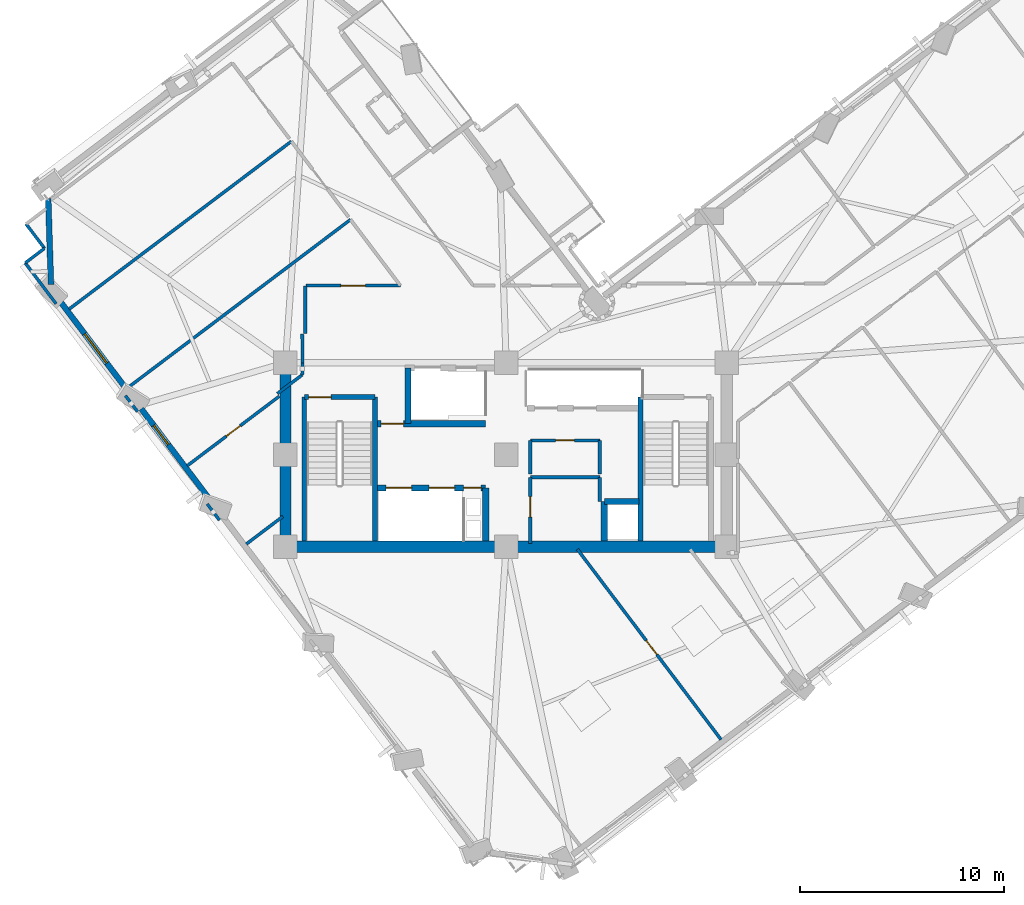
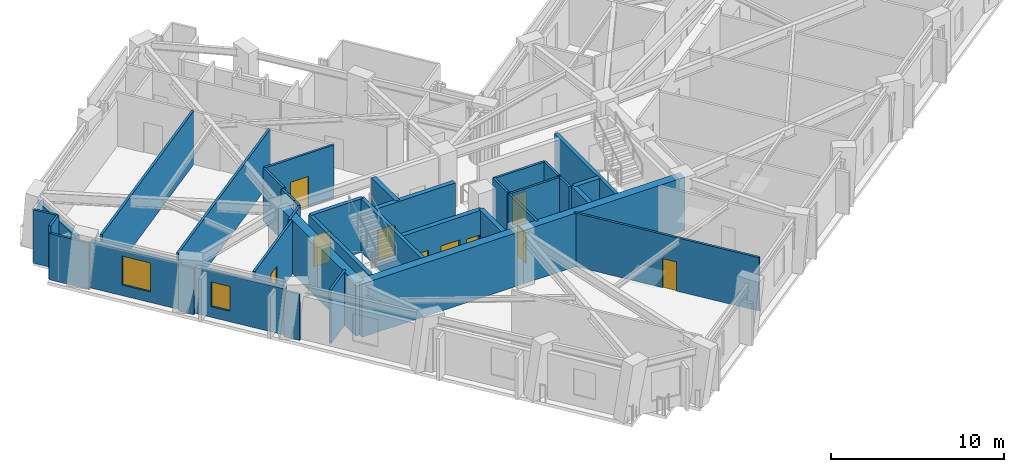
# One storey, part 6 of 15: 37 walls, 10 doors, 2 windows, 12 openings.
"""IFC4 building model written with IfcOpenShell, lengths in metres."""

import ifcopenshell
import ifcopenshell.guid

model = None  # the IFC model being written
_history = None  # IfcOwnerHistory: only IFC2X3 demands one
_inside = {}  # id of a spatial element -> (the spatial element, [elements in it])
_under = {}  # id of a project, library or spatial element -> (it, [spatial elements below it])
_declared = {}  # id of a project -> (the project, [libraries it declares])
_typed = {}  # id of a type object -> (the type object, [elements of that type])
_made_of = {}  # id of a material, layer set ... -> (it, [elements and type objects made of it])


def new_model(schema):
    """Start an empty IFC model of exactly this schema.

    Asked for "IFC4X3", IfcOpenShell would pick the latest addendum, in which some entities
    have other attributes; the version numbers below select the first issue.
    IFC2X3 requires an IfcOwnerHistory on every rooted entity: one is made here for all.
    """
    global model, _history
    if schema == "IFC4X3":
        model = ifcopenshell.file(schema_version=(4, 3, 0, 0))
    else:
        model = ifcopenshell.file(schema=schema)
    _inside.clear()
    _under.clear()
    _declared.clear()
    _typed.clear()
    _made_of.clear()
    _history = None
    if model.schema == "IFC2X3":
        org = make("IfcOrganization", Name="unknown")
        user = make(
            "IfcPersonAndOrganization",
            ThePerson=make("IfcPerson", FamilyName="unknown"),
            TheOrganization=org,
        )
        app = make(
            "IfcApplication",
            ApplicationDeveloper=org,
            Version="unknown",
            ApplicationFullName="unknown",
            ApplicationIdentifier="unknown",
        )
        _history = make(
            "IfcOwnerHistory",
            OwningUser=user,
            OwningApplication=app,
            ChangeAction="ADDED",
            CreationDate=0,
        )
    return model


def make(cls, **values):
    """One entity of the class cls with the attributes given. An attribute that is None is left unset."""
    return model.create_entity(
        cls, **{name: value for name, value in values.items() if value is not None}
    )


def rooted(cls, **values):
    """An entity with a GlobalId (a new one), such as an element, a storey or a relation."""
    return make(cls, GlobalId=ifcopenshell.guid.new(), OwnerHistory=_history, **values)


def si_unit(unit_type, name, prefix=None):
    """IfcSIUnit, for example si_unit("LENGTHUNIT", "METRE", prefix="MILLI")."""
    return make("IfcSIUnit", UnitType=unit_type, Prefix=prefix, Name=name)


def assignment(units):
    """IfcUnitAssignment: the units of a project."""
    return None if units is None else make("IfcUnitAssignment", Units=units)


def point(xyz):
    """IfcCartesianPoint."""
    return None if xyz is None else make("IfcCartesianPoint", Coordinates=xyz)


def direction(xyz):
    """IfcDirection."""
    return None if xyz is None else make("IfcDirection", DirectionRatios=xyz)


def frame(location, z_axis=None, x_axis=None):
    """IfcAxis2Placement3D, a coordinate frame: its origin and axes. An axis left out is left unset."""
    return make(
        "IfcAxis2Placement3D",
        Location=point(location),
        Axis=direction(z_axis),
        RefDirection=direction(x_axis),
    )


def frame_2d(location, x_axis=None):
    """IfcAxis2Placement2D, a coordinate frame in the plane: its origin and x axis."""
    return make(
        "IfcAxis2Placement2D", Location=point(location), RefDirection=direction(x_axis)
    )


def origin():
    """The frame at (0, 0, 0) with its axes left unset."""
    return frame((0.0, 0.0, 0.0))


def place(relative_to, where):
    """IfcLocalPlacement: puts the frame where relative to a parent placement (None: the world)."""
    return make(
        "IfcLocalPlacement", PlacementRelTo=relative_to, RelativePlacement=where
    )


def context(
    kind, dimensions, precision=None, world=None, true_north=None, identifier=None
):
    """IfcGeometricRepresentationContext, for example the 3D "Model" context."""
    return make(
        "IfcGeometricRepresentationContext",
        ContextIdentifier=identifier,
        ContextType=kind,
        CoordinateSpaceDimension=dimensions,
        Precision=precision,
        WorldCoordinateSystem=world,
        TrueNorth=true_north,
    )


def subcontext(parent, identifier, kind, view, scale=None):
    """IfcGeometricRepresentationSubContext, for example "Body" below "Model"."""
    return make(
        "IfcGeometricRepresentationSubContext",
        ContextIdentifier=identifier,
        ContextType=kind,
        ParentContext=parent,
        TargetScale=scale,
        TargetView=view,
    )


def project(units=None, contexts=None):
    """IfcProject with its units and contexts."""
    return rooted(
        "IfcProject",
        Name="project",
        RepresentationContexts=contexts,
        UnitsInContext=assignment(units),
    )


def spatial(cls, under=None, at=None, **own):
    """A site, building, storey or space (cls), placed at a placement, below another one or the project."""
    s = rooted(cls, ObjectPlacement=at, **own)
    if under is not None:
        _under.setdefault(under.id(), (under, []))[1].append(s)
    return s


def profile(cls, at=None, kind="AREA", **sizes):
    """A parametric profile (cls). Its sizes go by their IFC names, for example OverallWidth=200.0."""
    return make(cls, ProfileType=kind, Position=at, **sizes)


def rectangle(**sizes):
    """IfcRectangleProfileDef."""
    return profile("IfcRectangleProfileDef", **sizes)


def extrude(swept, where, along, depth):
    """IfcExtrudedAreaSolid: the profile swept, set in the frame where, extruded along a direction by depth."""
    return make(
        "IfcExtrudedAreaSolid",
        SweptArea=swept,
        Position=where,
        ExtrudedDirection=direction(along),
        Depth=depth,
    )


def shape(context_of_items, identifier, shape_type, items):
    """IfcShapeRepresentation: the items that make up one representation, for example the "Body"."""
    return make(
        "IfcShapeRepresentation",
        ContextOfItems=context_of_items,
        RepresentationIdentifier=identifier,
        RepresentationType=shape_type,
        Items=items,
    )


def material(Name=None, Category=None):
    """IfcMaterial."""
    return make("IfcMaterial", Name=Name, Category=Category)


def layer(
    of_material, thickness, ventilated=None, Name=None, Category=None, Priority=None
):
    """IfcMaterialLayer: one layer of a wall or slab, of a material (None: an air gap)."""
    return make(
        "IfcMaterialLayer",
        Material=of_material,
        LayerThickness=thickness,
        IsVentilated=ventilated,
        Name=Name,
        Category=Category,
        Priority=Priority,
    )


def layer_set(layers, Name=None):
    """IfcMaterialLayerSet."""
    return make("IfcMaterialLayerSet", MaterialLayers=layers, LayerSetName=Name)


def made_of(thing, what):
    """Note that an element or type object is made of a material, layer set ...; save() writes the relation."""
    if what is not None:
        _made_of.setdefault(what.id(), (what, []))[1].append(thing)
    return thing


def type_object(cls, material=None, **own):
    """A type object (cls), such as IfcWallType, which elements share."""
    return made_of(rooted(cls, **own), material)


def element(
    cls,
    number,
    at=None,
    inside=None,
    cuts=None,
    type_object=None,
    material=None,
    context=None,
    identifier="Body",
    shape_type=None,
    held_by="IfcProductDefinitionShape",
    body=None,
    shapes=None,
    **own,
):
    """One element of the class cls, such as IfcWall. Its Tag is "e" and its number.

    at: its placement. inside: the storey or other place that contains it. cuts: it is an
    opening in that element (IfcRelVoidsElement). A single representation is given by context,
    identifier, shape_type and body (its items); several are given by shapes. held_by: the class
    of the entity that holds the representations. save() writes the other relations.
    """
    e = rooted(cls, Tag="e%d" % number, ObjectPlacement=at, **own)
    if body is not None:
        shapes = [shape(context, identifier, shape_type, body)]
    if shapes is not None:
        e.Representation = make(held_by, Representations=shapes)
    if inside is not None:
        _inside.setdefault(inside.id(), (inside, []))[1].append(e)
    if cuts is not None:
        rooted(
            "IfcRelVoidsElement", RelatingBuildingElement=cuts, RelatedOpeningElement=e
        )
    if type_object is not None:
        _typed.setdefault(type_object.id(), (type_object, []))[1].append(e)
    return made_of(e, material)


def fill(opening, filler):
    """IfcRelFillsElement: the door or window that sits in an opening."""
    return rooted(
        "IfcRelFillsElement",
        RelatingOpeningElement=opening,
        RelatedBuildingElement=filler,
    )


def aggregate(whole, parts):
    """IfcRelAggregates: a whole, such as a stair, and the parts it consists of."""
    return rooted("IfcRelAggregates", RelatingObject=whole, RelatedObjects=parts)


def save(model, path):
    """Write the relations noted so far, then the file.

    IfcRelAggregates (storeys below a building ...), IfcRelContainedInSpatialStructure (elements
    in a storey), IfcRelDefinesByType, IfcRelAssociatesMaterial and IfcRelDeclares: one each for
    every whole, place, type object, material and project.
    """
    for whole, parts in _under.values():
        aggregate(whole, parts)
    for where, things in _inside.values():
        rooted(
            "IfcRelContainedInSpatialStructure",
            RelatedElements=things,
            RelatingStructure=where,
        )
    for kind, things in _typed.values():
        rooted("IfcRelDefinesByType", RelatedObjects=things, RelatingType=kind)
    for what, things in _made_of.values():
        rooted("IfcRelAssociatesMaterial", RelatedObjects=things, RelatingMaterial=what)
    for by, libraries in _declared.values():
        rooted("IfcRelDeclares", RelatingContext=by, RelatedDefinitions=libraries)
    model.write(path)


model = new_model("IFC4")

# Units and contexts
model_context = context("Model", 3, precision=1e-05, world=origin(), true_north=direction((0.0, 1.0)))
body_context = subcontext(model_context, "Body", "Model", "MODEL_VIEW")
ifc_project = project(units=[si_unit("LENGTHUNIT", "METRE"), si_unit("AREAUNIT", "SQUARE_METRE"), si_unit("VOLUMEUNIT", "CUBIC_METRE"), si_unit("PLANEANGLEUNIT", "RADIAN"), si_unit("MASSUNIT", "GRAM", prefix="KILO")], contexts=[model_context])

# Site, building, storey
site_placement = place(None, origin())
site = spatial("IfcSite", under=ifc_project, at=site_placement, CompositionType="ELEMENT")
building_placement = place(site_placement, origin())
building = spatial("IfcBuilding", under=site, at=building_placement, Name="Gaonmaruhae Medical Tower", CompositionType="ELEMENT")
storey_placement = place(building_placement, frame((0.0, 0.0, 181.800048828125)))
storey = spatial("IfcBuildingStorey", under=building, at=storey_placement, Name="L43", CompositionType="ELEMENT", Elevation=181.800048828125)

# Walls
ifc_material_1 = material(Name="Concrete C50/60", Category="concrete")
ifc_layer_1 = layer(ifc_material_1, 0.550048828125)
ifc_layer_set_1 = layer_set([ifc_layer_1], Name="Concrete C50/60")
wall_type_1 = type_object("IfcWallType", Name="CW-550 Mid-High Core Shear Wall", PredefinedType="SHEAR", material=ifc_layer_set_1)
for number, where, z_axis, x_axis, name in (
    (1, (14.0, 7.800048828125, 0.0), (0.0, 0.0, 1.0), (1.0, 0.0, 0.0), "L43 Core Shear Wall CSW-S1"),
    (2, (24.800048828125, 7.800048828125, 0.0), (0.0, 0.0, 1.0), (1.0, 0.0, 0.0), "L43 Core Shear Wall CSW-S2"),
):
    element("IfcWall", number, at=place(storey_placement, frame(where, z_axis=z_axis, x_axis=x_axis)), inside=storey, type_object=wall_type_1, Name=name, PredefinedType="SHEAR", context=body_context, shape_type="SweptSolid", body=[
        extrude(rectangle(XDim=10.800048828125, YDim=0.550048828125, at=frame_2d((5.39990234375, 0.0))), origin(), (0.0, 0.0, 1.0), 3.780029296875),
    ])
wall_1_placement = place(storey_placement, frame((14.0, 16.800048828125, 0.0), z_axis=(0.0, 0.0, 1.0), x_axis=(0.0, -1.0, 0.0)))
element("IfcWall", 3, at=wall_1_placement, inside=storey, type_object=wall_type_1, Name="L43 Core Shear Wall CSW-W1", PredefinedType="SHEAR", context=body_context, shape_type="SweptSolid", body=[
    extrude(rectangle(XDim=9.0, YDim=0.550048828125, at=frame_2d((4.5, 0.0))), origin(), (0.0, 0.0, 1.0), 3.780029296875),
])
ifc_material_2 = material(Name="Precast concrete C45/55", Category="concrete")
ifc_layer_2 = layer(ifc_material_2, 0.280029296875)
ifc_layer_set_2 = layer_set([ifc_layer_2], Name="Precast concrete C45/55")
wall_type_2 = type_object("IfcWallType", Name="EW-280 Upper Precast Masonry-Frame Facade Wall", PredefinedType="SOLIDWALL", material=ifc_layer_set_2)
wall_2_placement = place(storey_placement, frame((2.526123046875, 20.629150390625, 0.0), z_axis=(0.0, 0.0, 1.0), x_axis=(-0.031949799886, 0.999489474826, 0.0)))
element("IfcWall", 4, at=wall_2_placement, inside=storey, type_object=wall_type_2, Name="L43 Precast Masonry-Frame Wall N03-W01", PredefinedType="SOLIDWALL", context=body_context, shape_type="SweptSolid", body=[
    extrude(rectangle(XDim=4.21044921875, YDim=0.280029296875, at=frame_2d((2.105224609375, 0.0))), origin(), (0.0, 0.0, 1.0), 3.264892578125),
])

# Wall, opening, window
wall_3_placement = place(storey_placement, frame((6.351806640625, 15.3349609375, 0.0), z_axis=(0.0, 0.0, 1.0), x_axis=(-0.602530491205, 0.798095863395, 0.0)))
wall_3 = element("IfcWall", 5, at=wall_3_placement, inside=storey, type_object=wall_type_2, Name="L43 Precast Masonry-Frame Wall W01-W02", PredefinedType="SOLIDWALL", context=body_context, shape_type="SweptSolid", body=[
    extrude(rectangle(XDim=5.627685546875, YDim=0.280029296875, at=frame_2d((2.81396484375, 0.0))), origin(), (0.0, 0.0, 1.0), 3.264892578125),
])
opening_1_placement = place(wall_3_placement, frame((1.81689453125, 0.0, 0.75)))
opening_1 = element("IfcOpeningElement", 6, at=opening_1_placement, cuts=wall_3, Name="Opening WN-04", PredefinedType="OPENING", context=body_context, shape_type="SweptSolid", body=[
    extrude(rectangle(XDim=1.800048828125, YDim=2.050048828125, at=frame_2d((0.89990234375, 1.02490234375))), frame((0.0, 0.14990234375, 0.0), z_axis=(0.0, -1.0, 0.0), x_axis=(1.0, 0.0, 0.0)), (0.0, 0.0, 1.0), 0.300048828125),
])
ifc_material_3 = material(Name="Anodised aluminium and Low-E double glazing", Category="aluminium")
window_type_1 = type_object("IfcWindowType", Name="WN-04 Clinic & Consult Punched Window 1800x2050", PartitioningType="SINGLE_PANEL", PredefinedType="WINDOW", material=ifc_material_3)
window_1_placement = place(opening_1_placement, origin())
window_1 = element("IfcWindow", 7, at=window_1_placement, inside=storey, type_object=window_type_1, Name="L43 Modular Facade Window W01", OverallHeight=2.050048828125, OverallWidth=1.800048828125, PartitioningType="SINGLE_PANEL", PredefinedType="WINDOW", context=body_context, shape_type="SweptSolid", body=[
    extrude(rectangle(XDim=1.800048828125, YDim=2.050048828125, at=frame_2d((0.89990234375, 1.02490234375))), frame((0.0, 0.030029296875, 0.0), z_axis=(0.0, -1.0, 0.0), x_axis=(1.0, 0.0, 0.0)), (0.0, 0.0, 1.0), 0.06005859375),
])
fill(opening_1, window_1)

wall_4_placement = place(storey_placement, frame((10.355224609375, 10.031494140625, 0.0), z_axis=(0.0, 0.0, 1.0), x_axis=(-0.602494498612, 0.79812303509, 0.0)))
wall_4 = element("IfcWall", 8, at=wall_4_placement, inside=storey, type_object=wall_type_2, Name="L43 Precast Masonry-Frame Wall W02-W03", PredefinedType="SOLIDWALL", context=body_context, shape_type="SweptSolid", body=[
    extrude(rectangle(XDim=5.662109375, YDim=0.280029296875, at=frame_2d((2.8310546875, 0.0))), origin(), (0.0, 0.0, 1.0), 3.264892578125),
])
opening_2_placement = place(wall_4_placement, frame((3.455810546875, 0.0, 0.75)))
opening_2 = element("IfcOpeningElement", 9, at=opening_2_placement, cuts=wall_4, Name="Opening WN-05", PredefinedType="OPENING", context=body_context, shape_type="SweptSolid", body=[
    extrude(rectangle(XDim=1.199951171875, YDim=1.75, at=frame_2d((0.60009765625, 0.875))), frame((0.0, 0.14990234375, 0.0), z_axis=(0.0, -1.0, 0.0), x_axis=(1.0, 0.0, 0.0)), (0.0, 0.0, 1.0), 0.300048828125),
])
window_type_2 = type_object("IfcWindowType", Name="WN-05 Support & Staff Punched Window 1200x1750", PartitioningType="SINGLE_PANEL", PredefinedType="WINDOW", material=ifc_material_3)
window_2_placement = place(opening_2_placement, origin())
window_2 = element("IfcWindow", 10, at=window_2_placement, inside=storey, type_object=window_type_2, Name="L43 Modular Facade Window W02", OverallHeight=1.75, OverallWidth=1.199951171875, PartitioningType="SINGLE_PANEL", PredefinedType="WINDOW", context=body_context, shape_type="SweptSolid", body=[
    extrude(rectangle(XDim=1.199951171875, YDim=1.75, at=frame_2d((0.60009765625, 0.875))), frame((0.0, 0.030029296875, 0.0), z_axis=(0.0, -1.0, 0.0), x_axis=(1.0, 0.0, 0.0)), (0.0, 0.0, 1.0), 0.06005859375),
])
fill(opening_2, window_2)

# Wall, opening, door
ifc_material_4 = material(Name="Gypsum board partition", Category="gypsum")
ifc_layer_3 = layer(ifc_material_4, 0.14990234375)
ifc_layer_set_3 = layer_set([ifc_layer_3], Name="Gypsum board partition")
wall_type_3 = type_object("IfcWallType", Name="PW-150 Rated Clinical Corridor Partition", PredefinedType="PARTITIONING", material=ifc_layer_set_3)
wall_5_placement = place(storey_placement, frame((25.97998046875, 7.9599609375, 0.0), z_axis=(0.0, 0.0, 1.0), x_axis=(0.0, 1.0, 0.0)))
wall_5 = element("IfcWall", 11, at=wall_5_placement, inside=storey, type_object=wall_type_3, Name="L43 Interior Partition L43-RCL1-1", PredefinedType="PARTITIONING", context=body_context, shape_type="SweptSolid", body=[
    extrude(rectangle(XDim=3.239990234375, YDim=0.14990234375, at=frame_2d((1.6201171875, 0.0))), origin(), (0.0, 0.0, 1.0), 3.780029296875),
])
opening_3_placement = place(wall_5_placement, frame((1.294921875, 0.0, 0.0)))
opening_3 = element("IfcOpeningElement", 12, at=opening_3_placement, cuts=wall_5, Name="Opening CD-01", PredefinedType="OPENING", context=body_context, shape_type="SweptSolid", body=[
    extrude(rectangle(XDim=1.0, YDim=2.1201171875, at=frame_2d((0.5, 1.06005859375))), frame((0.0, 0.0849609375, 0.0), z_axis=(0.0, -1.0, 0.0), x_axis=(1.0, 0.0, 0.0)), (0.0, 0.0, 1.0), 0.169921875),
])
ifc_material_5 = material(Name="Antimicrobial laminate timber fire door", Category="wood")
door_type_1 = type_object("IfcDoorType", Name="CD-01 Consultation & Physician Office Door 1000x2120", OperationType="NOTDEFINED", PredefinedType="DOOR", material=ifc_material_5)
door_1_placement = place(opening_3_placement, origin())
door_1 = element("IfcDoor", 13, at=door_1_placement, inside=storey, type_object=door_type_1, Name="L43 Clinical Telemetry and Medication Room Door", OperationType="SINGLE_SWING_RIGHT", OverallHeight=2.1201171875, OverallWidth=1.0, PredefinedType="DOOR", context=body_context, shape_type="SweptSolid", body=[
    extrude(rectangle(XDim=1.0, YDim=2.1201171875, at=frame_2d((0.5, 1.06005859375))), frame((0.0, 0.02490234375, 0.0), z_axis=(0.0, -1.0, 0.0), x_axis=(1.0, 0.0, 0.0)), (0.0, 0.0, 1.0), 0.050048828125),
])
fill(opening_3, door_1)

# Walls
wall_6_placement = place(storey_placement, frame((25.97998046875, 11.199951171875, 0.0), z_axis=(0.0, 0.0, 1.0), x_axis=(1.0, 0.0, 0.0)))
element("IfcWall", 14, at=wall_6_placement, inside=storey, type_object=wall_type_3, Name="L43 Interior Partition L43-RCL1-2", PredefinedType="PARTITIONING", context=body_context, shape_type="SweptSolid", body=[
    extrude(rectangle(XDim=3.39990234375, YDim=0.14990234375, at=frame_2d((1.699951171875, 0.0))), origin(), (0.0, 0.0, 1.0), 3.780029296875),
])
wall_7_placement = place(storey_placement, frame((29.3798828125, 11.199951171875, 0.0), z_axis=(0.0, 0.0, 1.0), x_axis=(0.0, -1.0, 0.0)))
element("IfcWall", 15, at=wall_7_placement, inside=storey, type_object=wall_type_3, Name="L43 Interior Partition L43-RCL1-3", PredefinedType="PARTITIONING", context=body_context, shape_type="SweptSolid", body=[
    extrude(rectangle(XDim=1.179931640625, YDim=0.14990234375, at=frame_2d((0.58984375, 0.0))), origin(), (0.0, 0.0, 1.0), 3.780029296875),
])
wall_8_placement = place(storey_placement, frame((25.97998046875, 11.360107421875, 0.0), z_axis=(0.0, 0.0, 1.0), x_axis=(0.0, 1.0, 0.0)))
element("IfcWall", 16, at=wall_8_placement, inside=storey, type_object=wall_type_3, Name="L43 Interior Partition L43-CS1-4", PredefinedType="PARTITIONING", context=body_context, shape_type="SweptSolid", body=[
    extrude(rectangle(XDim=1.639892578125, YDim=0.14990234375, at=frame_2d((0.81982421875, 0.0))), origin(), (0.0, 0.0, 1.0), 3.780029296875),
])

# Wall, opening, door
wall_9_placement = place(storey_placement, frame((25.97998046875, 13.0, 0.0), z_axis=(0.0, 0.0, 1.0), x_axis=(1.0, 0.0, 0.0)))
wall_9 = element("IfcWall", 17, at=wall_9_placement, inside=storey, type_object=wall_type_3, Name="L43 Interior Partition L43-CS1-5", PredefinedType="PARTITIONING", context=body_context, shape_type="SweptSolid", body=[
    extrude(rectangle(XDim=3.39990234375, YDim=0.14990234375, at=frame_2d((1.699951171875, 0.0))), origin(), (0.0, 0.0, 1.0), 3.780029296875),
])
opening_4_placement = place(wall_9_placement, frame((1.239990234375, 0.0, 0.0)))
opening_4 = element("IfcOpeningElement", 18, at=opening_4_placement, cuts=wall_9, Name="Opening UD-01", PredefinedType="OPENING", context=body_context, shape_type="SweptSolid", body=[
    extrude(rectangle(XDim=0.919921875, YDim=2.10009765625, at=frame_2d((0.4599609375, 1.050048828125))), frame((0.0, 0.0849609375, 0.0), z_axis=(0.0, -1.0, 0.0), x_axis=(1.0, 0.0, 0.0)), (0.0, 0.0, 1.0), 0.169921875),
])
ifc_material_6 = material(Name="Powder-coated steel utility door", Category="steel")
door_type_2 = type_object("IfcDoorType", Name="UD-01 Toilet, Utility & Housekeeping Door 920x2100", OperationType="NOTDEFINED", PredefinedType="DOOR", material=ifc_material_6)
door_2_placement = place(opening_4_placement, origin())
door_2 = element("IfcDoor", 19, at=door_2_placement, inside=storey, type_object=door_type_2, Name="L43 Accessible Staff Toilet Door", OperationType="SINGLE_SWING_LEFT", OverallHeight=2.10009765625, OverallWidth=0.919921875, PredefinedType="DOOR", context=body_context, shape_type="SweptSolid", body=[
    extrude(rectangle(XDim=0.919921875, YDim=2.10009765625, at=frame_2d((0.4599609375, 1.050048828125))), frame((0.0, 0.02490234375, 0.0), z_axis=(0.0, -1.0, 0.0), x_axis=(1.0, 0.0, 0.0)), (0.0, 0.0, 1.0), 0.050048828125),
])
fill(opening_4, door_2)

# Wall
wall_10_placement = place(storey_placement, frame((29.3798828125, 13.0, 0.0), z_axis=(0.0, 0.0, 1.0), x_axis=(0.0, -1.0, 0.0)))
element("IfcWall", 20, at=wall_10_placement, inside=storey, type_object=wall_type_3, Name="L43 Interior Partition L43-CS1-6", PredefinedType="PARTITIONING", context=body_context, shape_type="SweptSolid", body=[
    extrude(rectangle(XDim=1.639892578125, YDim=0.14990234375, at=frame_2d((0.81982421875, 0.0))), origin(), (0.0, 0.0, 1.0), 3.780029296875),
])

# Wall, opening, door
wall_11_placement = place(storey_placement, frame((28.287109375, 7.672119140625, 0.0), z_axis=(0.0, 0.0, 1.0), x_axis=(0.602494949449, -0.798122694758, 0.0)))
wall_11 = element("IfcWall", 21, at=wall_11_placement, inside=storey, type_object=wall_type_3, Name="L43 Interior Partition L43-SUP03-12", PredefinedType="PARTITIONING", context=body_context, shape_type="SweptSolid", body=[
    extrude(rectangle(XDim=11.666259765625, YDim=0.14990234375, at=frame_2d((5.8330078125, 0.0))), origin(), (0.0, 0.0, 1.0), 3.780029296875),
])
opening_5_placement = place(wall_11_placement, frame((5.59130859375, 0.0, 0.0)))
opening_5 = element("IfcOpeningElement", 22, at=opening_5_placement, cuts=wall_11, Name="Opening AD-01", PredefinedType="OPENING", context=body_context, shape_type="SweptSolid", body=[
    extrude(rectangle(XDim=0.860107421875, YDim=2.06005859375, at=frame_2d((0.43017578125, 1.030029296875))), frame((0.0, 0.0849609375, 0.0), z_axis=(0.0, -1.0, 0.0), x_axis=(1.0, 0.0, 0.0)), (0.0, 0.0, 1.0), 0.169921875),
])
ifc_material_7 = material(Name="Powder-coated steel access door", Category="steel")
door_type_3 = type_object("IfcDoorType", Name="AD-01 Riser & Closet Access Fire Door 860x2060", OperationType="NOTDEFINED", PredefinedType="DOOR", material=ifc_material_7)
door_3_placement = place(opening_5_placement, origin())
door_3 = element("IfcDoor", 23, at=door_3_placement, inside=storey, type_object=door_type_3, Name="L43 Clinical Biomedical Charting Office Sliding Door", OperationType="SLIDING_TO_LEFT", OverallHeight=2.06005859375, OverallWidth=0.860107421875, PredefinedType="DOOR", context=body_context, shape_type="SweptSolid", body=[
    extrude(rectangle(XDim=0.860107421875, YDim=2.06005859375, at=frame_2d((0.43017578125, 1.030029296875))), frame((0.0, 0.02490234375, 0.0), z_axis=(0.0, -1.0, 0.0), x_axis=(1.0, 0.0, 0.0)), (0.0, 0.0, 1.0), 0.050048828125),
])
fill(opening_5, door_3)

# Walls
wall_12_placement = place(storey_placement, frame((12.0849609375, 7.930908203125, 0.0), z_axis=(0.0, 0.0, 1.0), x_axis=(0.79790227483, 0.602786827843, 0.0)))
element("IfcWall", 24, at=wall_12_placement, inside=storey, type_object=wall_type_3, Name="L43 Interior Partition L43-WOF13-41", PredefinedType="PARTITIONING", context=body_context, shape_type="SweptSolid", body=[
    extrude(rectangle(XDim=2.23974609375, YDim=0.14990234375, at=frame_2d((1.119873046875, 0.0))), origin(), (0.0, 0.0, 1.0), 3.780029296875),
])
wall_13_placement = place(storey_placement, frame((10.76904296875, 9.10107421875, 0.0), z_axis=(0.0, 0.0, 1.0), x_axis=(-0.601888920392, 0.798579819122, 0.0)))
element("IfcWall", 25, at=wall_13_placement, inside=storey, type_object=wall_type_3, Name="L43 Interior Partition L43-WOF14-42", PredefinedType="PARTITIONING", context=body_context, shape_type="SweptSolid", body=[
    extrude(rectangle(XDim=0.99169921875, YDim=0.14990234375, at=frame_2d((0.495849609375, 0.0))), origin(), (0.0, 0.0, 1.0), 3.264892578125),
])

# Wall, opening, door
wall_14_placement = place(storey_placement, frame((9.193115234375, 11.761962890625, 0.0), z_axis=(0.0, 0.0, 1.0), x_axis=(0.798045187467, 0.602597609323, 0.0)))
wall_14 = element("IfcWall", 26, at=wall_14_placement, inside=storey, type_object=wall_type_3, Name="L43 Interior Partition L43-WOF14-43", PredefinedType="PARTITIONING", context=body_context, shape_type="SweptSolid", body=[
    extrude(rectangle(XDim=5.6474609375, YDim=0.14990234375, at=frame_2d((2.82373046875, 0.0))), origin(), (0.0, 0.0, 1.0), 3.780029296875),
])
opening_6_placement = place(wall_14_placement, frame((2.393798828125, 0.0, 0.0)))
opening_6 = element("IfcOpeningElement", 27, at=opening_6_placement, cuts=wall_14, Name="Opening AD-01", PredefinedType="OPENING", context=body_context, shape_type="SweptSolid", body=[
    extrude(rectangle(XDim=0.860107421875, YDim=2.06005859375, at=frame_2d((0.43017578125, 1.030029296875))), frame((0.0, 0.0849609375, 0.0), z_axis=(0.0, -1.0, 0.0), x_axis=(1.0, 0.0, 0.0)), (0.0, 0.0, 1.0), 0.169921875),
])
door_4_placement = place(opening_6_placement, origin())
door_4 = element("IfcDoor", 28, at=door_4_placement, inside=storey, type_object=door_type_3, Name="L43 Ward Physician Reporting Office Sliding Door", OperationType="SLIDING_TO_LEFT", OverallHeight=2.06005859375, OverallWidth=0.860107421875, PredefinedType="DOOR", context=body_context, shape_type="SweptSolid", body=[
    extrude(rectangle(XDim=0.860107421875, YDim=2.06005859375, at=frame_2d((0.43017578125, 1.030029296875))), frame((0.0, 0.02490234375, 0.0), z_axis=(0.0, -1.0, 0.0), x_axis=(1.0, 0.0, 0.0)), (0.0, 0.0, 1.0), 0.050048828125),
])
fill(opening_6, door_4)

# Walls
wall_15_placement = place(storey_placement, frame((14.969970703125, 20.550048828125, 0.0), z_axis=(0.0, 0.0, 1.0), x_axis=(0.0, -1.0, 0.0)))
element("IfcWall", 29, at=wall_15_placement, inside=storey, type_object=wall_type_3, Name="L43 Interior Partition L43-WOF15-44", PredefinedType="PARTITIONING", context=body_context, shape_type="SweptSolid", body=[
    extrude(rectangle(XDim=2.320068359375, YDim=0.14990234375, at=frame_2d((1.16015625, 0.0))), origin(), (0.0, 0.0, 1.0), 3.780029296875),
])
wall_16_placement = place(storey_placement, frame((14.820068359375, 18.199951171875, 0.0), z_axis=(0.0, 0.0, 1.0), x_axis=(0.01499656939, -0.99988754513, 0.0)))
element("IfcWall", 30, at=wall_16_placement, inside=storey, type_object=wall_type_3, Name="L43 Interior Partition L43-WOF15-45", PredefinedType="PARTITIONING", context=body_context, shape_type="SweptSolid", body=[
    extrude(rectangle(XDim=1.400146484375, YDim=0.14990234375, at=frame_2d((0.7001953125, 0.0))), origin(), (0.0, 0.0, 1.0), 3.780029296875),
])
wall_17_placement = place(storey_placement, frame((14.841064453125, 16.800048828125, 0.0), z_axis=(0.0, 0.0, 1.0), x_axis=(-0.035617667676, -0.999365489573, 0.0)))
element("IfcWall", 31, at=wall_17_placement, inside=storey, type_object=wall_type_3, Name="L43 Interior Partition L43-WOF15-46", PredefinedType="PARTITIONING", context=body_context, shape_type="SweptSolid", body=[
    extrude(rectangle(XDim=0.589599609375, YDim=0.14990234375, at=frame_2d((0.294921875, 0.0))), origin(), (0.0, 0.0, 1.0), 3.780029296875),
])
wall_18_placement = place(storey_placement, frame((14.820068359375, 16.2109375, 0.0), z_axis=(0.0, 0.0, 1.0), x_axis=(-0.798130998248, -0.602483949691, 0.0)))
element("IfcWall", 32, at=wall_18_placement, inside=storey, type_object=wall_type_3, Name="L43 Interior Partition L43-WOF15-47", PredefinedType="PARTITIONING", context=body_context, shape_type="SweptSolid", body=[
    extrude(rectangle(XDim=1.523681640625, YDim=0.14990234375, at=frame_2d((0.76171875, 0.0))), origin(), (0.0, 0.0, 1.0), 3.780029296875),
])
wall_19_placement = place(storey_placement, frame((6.760009765625, 14.412109375, 0.0), z_axis=(0.0, 0.0, 1.0), x_axis=(-0.602660806532, 0.797997463824, 0.0)))
element("IfcWall", 33, at=wall_19_placement, inside=storey, type_object=wall_type_3, Name="L43 Interior Partition L43-WOF15-48", PredefinedType="PARTITIONING", context=body_context, shape_type="SweptSolid", body=[
    extrude(rectangle(XDim=0.982421875, YDim=0.14990234375, at=frame_2d((0.4912109375, 0.0))), origin(), (0.0, 0.0, 1.0), 3.264892578125),
])
wall_20_placement = place(storey_placement, frame((6.301025390625, 15.593017578125, 0.0), z_axis=(0.0, 0.0, 1.0), x_axis=(0.798111656514, 0.60250957149, 0.0)))
element("IfcWall", 34, at=wall_20_placement, inside=storey, type_object=wall_type_3, Name="L43 Interior Partition L43-WOF15-49", PredefinedType="PARTITIONING", context=body_context, shape_type="SweptSolid", body=[
    extrude(rectangle(XDim=13.634765625, YDim=0.14990234375, at=frame_2d((6.8173828125, 0.0))), origin(), (0.0, 0.0, 1.0), 3.780029296875),
])

# Wall, opening, door
wall_21_placement = place(storey_placement, frame((19.6201171875, 20.580078125, 0.0), z_axis=(0.0, 0.0, 1.0), x_axis=(-1.0, 0.0, 0.0)))
wall_21 = element("IfcWall", 35, at=wall_21_placement, inside=storey, type_object=wall_type_3, Name="L43 Interior Partition L43-WOF15-51", PredefinedType="PARTITIONING", context=body_context, shape_type="SweptSolid", body=[
    extrude(rectangle(XDim=4.623046875, YDim=0.14990234375, at=frame_2d((2.3115234375, 0.0))), origin(), (0.0, 0.0, 1.0), 3.780029296875),
])
opening_7_placement = place(wall_21_placement, frame((1.71142578125, 0.0, 0.0)))
opening_7 = element("IfcOpeningElement", 36, at=opening_7_placement, cuts=wall_21, Name="Opening CD-02", PredefinedType="OPENING", context=body_context, shape_type="SweptSolid", body=[
    extrude(rectangle(XDim=1.199951171875, YDim=2.14990234375, at=frame_2d((0.60009765625, 1.074951171875))), frame((0.0, 0.0849609375, 0.0), z_axis=(0.0, -1.0, 0.0), x_axis=(1.0, 0.0, 0.0)), (0.0, 0.0, 1.0), 0.169921875),
])
door_type_4 = type_object("IfcDoorType", Name="CD-02 Clinical Treatment & Procedure Door 1200x2150", OperationType="NOTDEFINED", PredefinedType="DOOR", material=ifc_material_5)
door_5_placement = place(opening_7_placement, origin())
door_5 = element("IfcDoor", 37, at=door_5_placement, inside=storey, type_object=door_type_4, Name="L43 Ward Physician Reporting Office Door", OperationType="SINGLE_SWING_RIGHT", OverallHeight=2.14990234375, OverallWidth=1.199951171875, PredefinedType="DOOR", context=body_context, shape_type="SweptSolid", body=[
    extrude(rectangle(XDim=1.199951171875, YDim=2.14990234375, at=frame_2d((0.60009765625, 1.074951171875))), frame((0.0, 0.02490234375, 0.0), z_axis=(0.0, -1.0, 0.0), x_axis=(1.0, 0.0, 0.0)), (0.0, 0.0, 1.0), 0.050048828125),
])
fill(opening_7, door_5)

# Walls
wall_22_placement = place(storey_placement, frame((3.408935546875, 19.424072265625, 0.0), z_axis=(0.0, 0.0, 1.0), x_axis=(0.798120266847, 0.60249816568, 0.0)))
element("IfcWall", 38, at=wall_22_placement, inside=storey, type_object=wall_type_3, Name="L43 Interior Partition L43-WOF16-52", PredefinedType="PARTITIONING", context=body_context, shape_type="SweptSolid", body=[
    extrude(rectangle(XDim=13.634521484375, YDim=0.14990234375, at=frame_2d((6.8173828125, 0.0))), origin(), (0.0, 0.0, 1.0), 3.780029296875),
])
wall_23_placement = place(storey_placement, frame((2.777099609375, 19.68798828125, 0.0), z_axis=(0.0, 0.0, 1.0), x_axis=(-0.602426797269, 0.798174137599, 0.0)))
element("IfcWall", 39, at=wall_23_placement, inside=storey, type_object=wall_type_3, Name="L43 Interior Partition L43-WOF17-55", PredefinedType="PARTITIONING", context=body_context, shape_type="SweptSolid", body=[
    extrude(rectangle(XDim=2.508056640625, YDim=0.14990234375, at=frame_2d((1.25390625, 0.0))), origin(), (0.0, 0.0, 1.0), 3.264892578125),
])
wall_24_placement = place(storey_placement, frame((1.26611328125, 21.68994140625, 0.0), z_axis=(0.0, 0.0, 1.0), x_axis=(0.797858472896, 0.6028448036, 0.0)))
element("IfcWall", 40, at=wall_24_placement, inside=storey, type_object=wall_type_3, Name="L43 Interior Partition L43-WOF17-56", PredefinedType="PARTITIONING", context=body_context, shape_type="SweptSolid", body=[
    extrude(rectangle(XDim=1.17919921875, YDim=0.14990234375, at=frame_2d((0.589599609375, 0.0))), origin(), (0.0, 0.0, 1.0), 3.780029296875),
])
wall_25_placement = place(storey_placement, frame((2.20703125, 22.40087890625, 0.0), z_axis=(0.0, 0.0, 1.0), x_axis=(-0.602264019624, 0.79829696897, 0.0)))
element("IfcWall", 41, at=wall_25_placement, inside=storey, type_object=wall_type_3, Name="L43 Interior Partition L43-WOF17-57", PredefinedType="PARTITIONING", context=body_context, shape_type="SweptSolid", body=[
    extrude(rectangle(XDim=1.49951171875, YDim=0.14990234375, at=frame_2d((0.749755859375, 0.0))), origin(), (0.0, 0.0, 1.0), 3.780029296875),
])

# Wall, opening, door
ifc_layer_4 = layer(ifc_material_1, 0.239990234375)
ifc_layer_set_4 = layer_set([ifc_layer_4], Name="Concrete C50/60")
wall_type_4 = type_object("IfcWallType", Name="SW-240 Dogleg Stair Tight Shaft Wall", PredefinedType="SOLIDWALL", material=ifc_layer_set_4)
wall_26_placement = place(storey_placement, frame((14.919921875, 15.1201171875, 0.0), z_axis=(0.0, 0.0, 1.0), x_axis=(1.0, 0.0, 0.0)))
wall_26 = element("IfcWall", 42, at=wall_26_placement, inside=storey, type_object=wall_type_4, Name="L43 ST-01 Stair Shaft Wall SHW-ST-01-N", PredefinedType="SOLIDWALL", context=body_context, shape_type="SweptSolid", body=[
    extrude(rectangle(XDim=3.4599609375, YDim=0.239990234375, at=frame_2d((1.72998046875, 0.0))), origin(), (0.0, 0.0, 1.0), 3.780029296875),
])
opening_8_placement = place(wall_26_placement, frame((0.219970703125, 0.0, 0.0)))
opening_8 = element("IfcOpeningElement", 43, at=opening_8_placement, cuts=wall_26, Name="Opening FD-01", PredefinedType="OPENING", context=body_context, shape_type="SweptSolid", body=[
    extrude(rectangle(XDim=1.10009765625, YDim=2.14990234375, at=frame_2d((0.550048828125, 1.074951171875))), frame((0.0, 0.1298828125, 0.0), z_axis=(0.0, -1.0, 0.0), x_axis=(1.0, 0.0, 0.0)), (0.0, 0.0, 1.0), 0.260009765625),
])
ifc_material_8 = material(Name="Powder-coated steel fire door", Category="steel")
door_type_5 = type_object("IfcDoorType", Name="FD-01 Escape Stair Protected Fire Door 1100x2150", OperationType="NOTDEFINED", PredefinedType="DOOR", material=ifc_material_8)
door_6_placement = place(opening_8_placement, origin())
door_6 = element("IfcDoor", 44, at=door_6_placement, inside=storey, type_object=door_type_5, Name="L43 ST-01 Protected Escape Stair Door", OperationType="SINGLE_SWING_RIGHT", OverallHeight=2.14990234375, OverallWidth=1.10009765625, PredefinedType="DOOR", context=body_context, shape_type="SweptSolid", body=[
    extrude(rectangle(XDim=1.10009765625, YDim=2.14990234375, at=frame_2d((0.550048828125, 1.074951171875))), frame((0.0, 0.02490234375, 0.0), z_axis=(0.0, -1.0, 0.0), x_axis=(1.0, 0.0, 0.0)), (0.0, 0.0, 1.0), 0.050048828125),
])
fill(opening_8, door_6)

# Walls
for number, where, z_axis, x_axis, name in (
    (45, (18.3798828125, 15.1201171875, 0.0), (0.0, 0.0, 1.0), (0.0, -1.0, 0.0), "L43 ST-01 Stair Shaft Wall SHW-ST-01-E"),
    (46, (14.919921875, 8.074951171875, 0.0), (0.0, 0.0, 1.0), (0.0, 1.0, 0.0), "L43 ST-01 Stair Shaft Wall SHW-ST-01-W"),
    (47, (31.3701171875, 8.074951171875, 0.0), (0.0, 0.0, 1.0), (0.0, 1.0, 0.0), "L43 ST-02 Stair Shaft Wall SHW-ST-02-W"),
):
    element("IfcWall", number, at=place(storey_placement, frame(where, z_axis=z_axis, x_axis=x_axis)), inside=storey, type_object=wall_type_4, Name=name, PredefinedType="SOLIDWALL", context=body_context, shape_type="SweptSolid", body=[
        extrude(rectangle(XDim=7.045166015625, YDim=0.239990234375, at=frame_2d((3.5224609375, 0.0))), origin(), (0.0, 0.0, 1.0), 3.780029296875),
    ])

# Wall, openings, doors
ifc_layer_5 = layer(ifc_material_1, 0.300048828125)
ifc_layer_set_5 = layer_set([ifc_layer_5], Name="Concrete C50/60")
wall_type_5 = type_object("IfcWallType", Name="SW-300 Stair & Lift Hoistway Shaft Wall", PredefinedType="SOLIDWALL", material=ifc_layer_set_5)
wall_27_placement = place(storey_placement, frame((18.5, 10.679931640625, 0.0), z_axis=(0.0, 0.0, 1.0), x_axis=(1.0, 0.0, 0.0)))
wall_27 = element("IfcWall", 48, at=wall_27_placement, inside=storey, type_object=wall_type_5, Name="L43 Shaft Enclosure Wall SHW-FFN", PredefinedType="SOLIDWALL", context=body_context, shape_type="SweptSolid", body=[
    extrude(rectangle(XDim=5.300048828125, YDim=0.300048828125, at=frame_2d((2.64990234375, 0.0))), origin(), (0.0, 0.0, 1.0), 3.780029296875),
])
opening_9_placement = place(wall_27_placement, frame((4.219970703125, 0.0, 0.0)))
opening_9 = element("IfcOpeningElement", 49, at=opening_9_placement, cuts=wall_27, Name="Opening AD-01", PredefinedType="OPENING", context=body_context, shape_type="SweptSolid", body=[
    extrude(rectangle(XDim=0.860107421875, YDim=2.06005859375, at=frame_2d((0.43017578125, 1.030029296875))), frame((0.0, 0.16015625, 0.0), z_axis=(0.0, -1.0, 0.0), x_axis=(1.0, 0.0, 0.0)), (0.0, 0.0, 1.0), 0.320068359375),
])
opening_10_placement = place(wall_27_placement, frame((0.425048828125, 0.0, 0.0)))
opening_10 = element("IfcOpeningElement", 50, at=opening_10_placement, cuts=wall_27, Name="Opening LD-F1", PredefinedType="OPENING", context=body_context, shape_type="SweptSolid", body=[
    extrude(rectangle(XDim=1.25, YDim=2.179931640625, at=frame_2d((0.625, 1.08984375))), frame((0.0, 0.16015625, 0.0), z_axis=(0.0, -1.0, 0.0), x_axis=(1.0, 0.0, 0.0)), (0.0, 0.0, 1.0), 0.320068359375),
])
opening_11_placement = place(wall_27_placement, frame((2.52490234375, 0.0, 0.0)))
opening_11 = element("IfcOpeningElement", 51, at=opening_11_placement, cuts=wall_27, Name="Opening LD-F1", PredefinedType="OPENING", context=body_context, shape_type="SweptSolid", body=[
    extrude(rectangle(XDim=1.25, YDim=2.179931640625, at=frame_2d((0.625, 1.08984375))), frame((0.0, 0.16015625, 0.0), z_axis=(0.0, -1.0, 0.0), x_axis=(1.0, 0.0, 0.0)), (0.0, 0.0, 1.0), 0.320068359375),
])
door_7_placement = place(opening_9_placement, origin())
door_7 = element("IfcDoor", 52, at=door_7_placement, inside=storey, type_object=door_type_3, Name="L43 Medical Gas and MEP Riser Access Door", OperationType="SINGLE_SWING_RIGHT", OverallHeight=2.06005859375, OverallWidth=0.860107421875, PredefinedType="DOOR", context=body_context, shape_type="SweptSolid", body=[
    extrude(rectangle(XDim=0.860107421875, YDim=2.06005859375, at=frame_2d((0.43017578125, 1.030029296875))), frame((0.0, 0.02490234375, 0.0), z_axis=(0.0, -1.0, 0.0), x_axis=(1.0, 0.0, 0.0)), (0.0, 0.0, 1.0), 0.050048828125),
])
fill(opening_9, door_7)
ifc_material_9 = material(Name="Brushed stainless steel 316L landing door", Category="steel")
door_type_6 = type_object("IfcDoorType", Name="LD-F1 Firefighting & Bed Lift Sliding Landing Door 1250x2180", OperationType="NOTDEFINED", PredefinedType="DOOR", material=ifc_material_9)
door_8_placement = place(opening_10_placement, origin())
door_8 = element("IfcDoor", 53, at=door_8_placement, inside=storey, type_object=door_type_6, Name="L43 Firefighting Lift Landing Door FFL-01", OperationType="DOUBLE_DOOR_SLIDING", OverallHeight=2.179931640625, OverallWidth=1.25, PredefinedType="DOOR", context=body_context, shape_type="SweptSolid", body=[
    extrude(rectangle(XDim=1.25, YDim=2.179931640625, at=frame_2d((0.625, 1.08984375))), frame((0.0, 0.02490234375, 0.0), z_axis=(0.0, -1.0, 0.0), x_axis=(1.0, 0.0, 0.0)), (0.0, 0.0, 1.0), 0.050048828125),
])
fill(opening_10, door_8)
door_9_placement = place(opening_11_placement, origin())
door_9 = element("IfcDoor", 54, at=door_9_placement, inside=storey, type_object=door_type_6, Name="L43 Firefighting Lift Landing Door FFL-02", OperationType="DOUBLE_DOOR_SLIDING", OverallHeight=2.179931640625, OverallWidth=1.25, PredefinedType="DOOR", context=body_context, shape_type="SweptSolid", body=[
    extrude(rectangle(XDim=1.25, YDim=2.179931640625, at=frame_2d((0.625, 1.08984375))), frame((0.0, 0.02490234375, 0.0), z_axis=(0.0, -1.0, 0.0), x_axis=(1.0, 0.0, 0.0)), (0.0, 0.0, 1.0), 0.050048828125),
])
fill(opening_11, door_9)

# Wall, opening, door
wall_28_placement = place(storey_placement, frame((18.5, 13.820068359375, 0.0), z_axis=(0.0, 0.0, 1.0), x_axis=(1.0, 0.0, 0.0)))
wall_28 = element("IfcWall", 55, at=wall_28_placement, inside=storey, type_object=wall_type_5, Name="L43 Shaft Enclosure Wall SHW-FFL", PredefinedType="SOLIDWALL", context=body_context, shape_type="SweptSolid", body=[
    extrude(rectangle(XDim=5.300048828125, YDim=0.300048828125, at=frame_2d((2.64990234375, 0.0))), origin(), (0.0, 0.0, 1.0), 3.780029296875),
])
opening_12_placement = place(wall_28_placement, frame((0.179931640625, 0.0, 0.0)))
opening_12 = element("IfcOpeningElement", 56, at=opening_12_placement, cuts=wall_28, Name="Opening FD-01", PredefinedType="OPENING", context=body_context, shape_type="SweptSolid", body=[
    extrude(rectangle(XDim=1.10009765625, YDim=2.14990234375, at=frame_2d((0.550048828125, 1.074951171875))), frame((0.0, 0.16015625, 0.0), z_axis=(0.0, -1.0, 0.0), x_axis=(1.0, 0.0, 0.0)), (0.0, 0.0, 1.0), 0.320068359375),
])
door_10_placement = place(opening_12_placement, origin())
door_10 = element("IfcDoor", 57, at=door_10_placement, inside=storey, type_object=door_type_5, Name="L43 Firefighting Lobby Smoke Door", OperationType="SINGLE_SWING_LEFT", OverallHeight=2.14990234375, OverallWidth=1.10009765625, PredefinedType="DOOR", context=body_context, shape_type="SweptSolid", body=[
    extrude(rectangle(XDim=1.10009765625, YDim=2.14990234375, at=frame_2d((0.550048828125, 1.074951171875))), frame((0.0, 0.02490234375, 0.0), z_axis=(0.0, -1.0, 0.0), x_axis=(1.0, 0.0, 0.0)), (0.0, 0.0, 1.0), 0.050048828125),
])
fill(opening_12, door_10)

# Walls
wall_29_placement = place(storey_placement, frame((23.800048828125, 8.074951171875, 0.0), z_axis=(0.0, 0.0, 1.0), x_axis=(0.0, 1.0, 0.0)))
element("IfcWall", 58, at=wall_29_placement, inside=storey, type_object=wall_type_5, Name="L43 Shaft Enclosure Wall SHW-FFE", PredefinedType="SOLIDWALL", context=body_context, shape_type="SweptSolid", body=[
    extrude(rectangle(XDim=2.60498046875, YDim=0.300048828125, at=frame_2d((1.302490234375, 0.0))), origin(), (0.0, 0.0, 1.0), 3.780029296875),
])
wall_30_placement = place(storey_placement, frame((20.0, 13.820068359375, 0.0), z_axis=(0.0, 0.0, 1.0), x_axis=(0.0, 1.0, 0.0)))
element("IfcWall", 59, at=wall_30_placement, inside=storey, type_object=wall_type_5, Name="L43 Shaft Enclosure Wall SHW-BDW", PredefinedType="SOLIDWALL", context=body_context, shape_type="SweptSolid", body=[
    extrude(rectangle(XDim=2.72998046875, YDim=0.300048828125, at=frame_2d((1.364990234375, 0.0))), origin(), (0.0, 0.0, 1.0), 3.780029296875),
])
wall_31_placement = place(storey_placement, frame((29.60009765625, 10.02001953125, 0.0), z_axis=(0.0, 0.0, 1.0), x_axis=(1.0, 0.0, 0.0)))
element("IfcWall", 60, at=wall_31_placement, inside=storey, type_object=wall_type_5, Name="L43 Shaft Enclosure Wall SHW-PLS", PredefinedType="SOLIDWALL", context=body_context, shape_type="SweptSolid", body=[
    extrude(rectangle(XDim=1.699951171875, YDim=0.300048828125, at=frame_2d((0.85009765625, 0.0))), origin(), (0.0, 0.0, 1.0), 3.780029296875),
])
wall_32_placement = place(storey_placement, frame((29.60009765625, 8.074951171875, 0.0), z_axis=(0.0, 0.0, 1.0), x_axis=(0.0, 1.0, 0.0)))
element("IfcWall", 61, at=wall_32_placement, inside=storey, type_object=wall_type_5, Name="L43 Shaft Enclosure Wall SHW-PLD1", PredefinedType="SOLIDWALL", context=body_context, shape_type="SweptSolid", body=[
    extrude(rectangle(XDim=1.945068359375, YDim=0.300048828125, at=frame_2d((0.97265625, 0.0))), origin(), (0.0, 0.0, 1.0), 3.780029296875),
])

save(model, "model.ifc")
